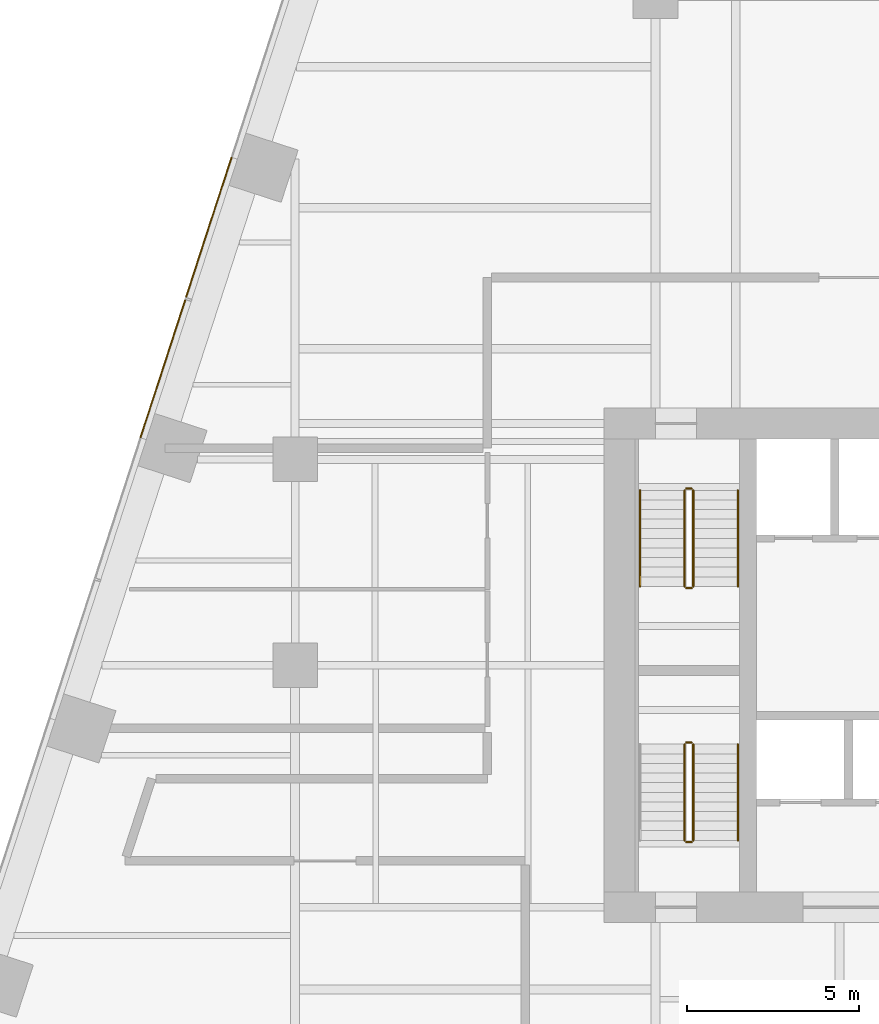
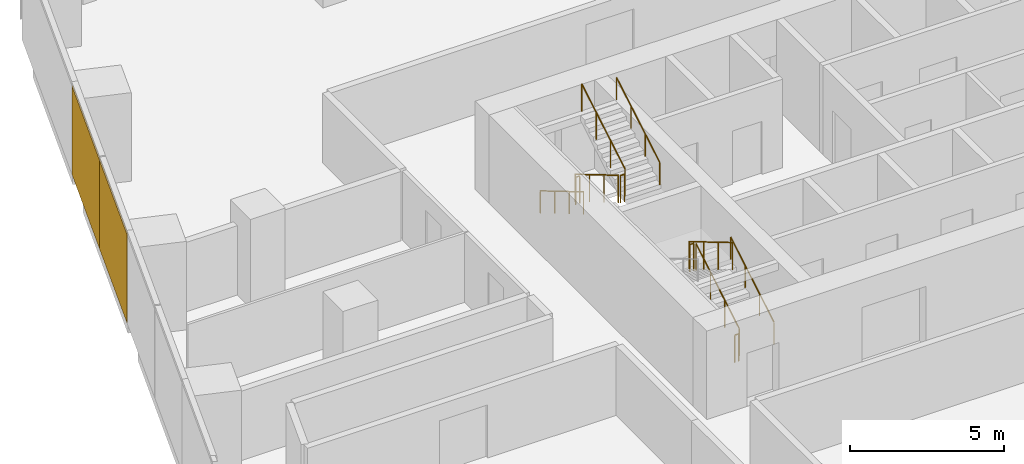
# One storey, part 18 of 19: 11 railings, 2 coverings, 1 element without a shape of its own.
"""IFC4 building model written with IfcOpenShell, lengths in metres."""

from ifc_helpers import new_model, si_unit, direction, frame, origin, origin_2d, place, context, subcontext, project, spatial, rectangle, circle, extrude, material, layer, layer_set, type_object, element, aggregate, save


model = new_model("IFC4")

# Units and contexts
model_context = context("Model", 3, precision=1e-05, world=origin(), true_north=direction((0.0, 1.0)))
body_context = subcontext(model_context, "Body", "Model", "MODEL_VIEW")
ifc_project = project(units=[si_unit("LENGTHUNIT", "METRE"), si_unit("AREAUNIT", "SQUARE_METRE"), si_unit("VOLUMEUNIT", "CUBIC_METRE"), si_unit("PLANEANGLEUNIT", "RADIAN"), si_unit("MASSUNIT", "GRAM", prefix="KILO")], contexts=[model_context])

# Site, building, storey
site_placement = place(None, origin())
site = spatial("IfcSite", under=ifc_project, at=site_placement, CompositionType="ELEMENT")
building_placement = place(site_placement, origin())
building = spatial("IfcBuilding", under=site, at=building_placement, Name="Isthmus Gate Tower", CompositionType="ELEMENT")
storey_placement = place(building_placement, frame((0.0, 0.0, 87.949951171875)))
storey = spatial("IfcBuildingStorey", under=building, at=storey_placement, Name="L20", CompositionType="ELEMENT", Elevation=87.949951171875)

# Curtain wall, coverings
ifc_material_1 = material(Name="Aluminium, pale champagne anodised", Category="aluminium")
ifc_layer_1 = layer(ifc_material_1, 0.199951171875)
ifc_layer_set_1 = layer_set([ifc_layer_1], Name="CW-1 UNITISED CURTAIN WALL 200 DEEP")
curtain_wall_type = type_object("IfcCurtainWallType", Name="CW-1 UNITISED CURTAIN WALL 200 DEEP", PredefinedType="NOTDEFINED", material=ifc_layer_set_1)
curtain_wall_placement = place(storey_placement, origin())
curtain_wall = element("IfcCurtainWall", 1, at=curtain_wall_placement, inside=storey, type_object=curtain_wall_type, Name="CW-1 NW L20", PredefinedType="NOTDEFINED")
ifc_material_2 = material(Name="Aluminium composite panel, pale champagne anodised", Category="aluminium")
ifc_layer_2 = layer(ifc_material_2, 0.0400390625)
ifc_layer_set_2 = layer_set([ifc_layer_2], Name="CW-1 PALE METAL PANEL 40")
covering_type = type_object("IfcCoveringType", Name="CW-1 PALE METAL PANEL 40", PredefinedType="CLADDING", material=ifc_layer_set_2)
covering_1_placement = place(storey_placement, frame((-26.51806640625, 20.25927734375, 0.0), z_axis=(0.0, 0.0, 1.0), x_axis=(-0.309016994375, -0.951056516295, 0.0)))
covering_1 = element("IfcCovering", 2, at=covering_1_placement, type_object=covering_type, Name="CW-1 pale metal panel", PredefinedType="CLADDING", context=body_context, shape_type="SweptSolid", body=[
    extrude(rectangle(XDim=4.294677734375, YDim=0.0400390625, at=origin_2d()), origin(), (0.0, 0.0, 1.0), 3.5),
])
covering_2_placement = place(storey_placement, frame((-27.8544921875, 16.146484375, 0.0), z_axis=(0.0, 0.0, 1.0), x_axis=(-0.309016994375, -0.951056516295, 0.0)))
covering_2 = element("IfcCovering", 3, at=covering_2_placement, type_object=covering_type, Name="CW-1 pale metal panel", PredefinedType="CLADDING", context=body_context, shape_type="SweptSolid", body=[
    extrude(rectangle(XDim=4.234619140625, YDim=0.0400390625, at=origin_2d()), origin(), (0.0, 0.0, 1.0), 3.5),
])
aggregate(curtain_wall, [covering_1, covering_2])

# Railings
ifc_material_3 = material(Name="Stainless steel balustrade", Category="steel")
railing_type_1 = type_object("IfcRailingType", Name="STAIR GUARD 1100", PredefinedType="GUARDRAIL", material=ifc_material_3)
railing_1_placement = place(storey_placement, frame((-12.64990234375, 12.60009765625, 0.166015625)))
element("IfcRailing", 4, at=railing_1_placement, inside=storey, type_object=railing_type_1, Name="L20 ST1 stair guard 1", PredefinedType="GUARDRAIL", context=body_context, shape_type="SweptSolid", body=[
    extrude(circle(Radius=0.02392578125, at=origin_2d()), frame((0.0, 0.0, 1.076171875), z_axis=(0.0, -0.860339051648, 0.50972219513), x_axis=(1.0, 0.0, 0.0)), (0.0, 0.0, 1.0), 3.254638671875),
    extrude(circle(Radius=0.02099609375, at=origin_2d()), origin(), (0.0, 0.0, 1.0), 1.052001953125),
    extrude(circle(Radius=0.02099609375, at=origin_2d()), frame((0.0, -0.933349609375, 0.552978515625)), (0.0, 0.0, 1.0), 1.052001953125),
    extrude(circle(Radius=0.02099609375, at=origin_2d()), frame((0.0, -1.86669921875, 1.10595703125)), (0.0, 0.0, 1.0), 1.052001953125),
    extrude(circle(Radius=0.02099609375, at=origin_2d()), frame((0.0, -2.800048828125, 1.658935546875)), (0.0, 0.0, 1.0), 1.052001953125),
])
railing_2_placement = place(storey_placement, frame((-12.60009765625, 9.75, 1.824951171875)))
element("IfcRailing", 5, at=railing_2_placement, inside=storey, type_object=railing_type_1, Name="L20 ST1 stair guard 2", PredefinedType="GUARDRAIL", context=body_context, shape_type="SweptSolid", body=[
    extrude(circle(Radius=0.02392578125, at=origin_2d()), frame((0.0, 0.0, 1.076171875), z_axis=(1.0, 0.0, 0.0), x_axis=(0.0, 1.0, 0.0)), (0.0, 0.0, 1.0), 0.150146484375),
    extrude(circle(Radius=0.02099609375, at=origin_2d()), origin(), (0.0, 0.0, 1.0), 1.052001953125),
    extrude(circle(Radius=0.02099609375, at=origin_2d()), frame((0.150146484375, 0.0, 0.0)), (0.0, 0.0, 1.0), 1.052001953125),
])
railing_3_placement = place(storey_placement, frame((-12.39990234375, 9.800048828125, 1.990966796875)))
element("IfcRailing", 6, at=railing_3_placement, inside=storey, type_object=railing_type_1, Name="L20 ST1 stair guard 3", PredefinedType="GUARDRAIL", context=body_context, shape_type="SweptSolid", body=[
    extrude(circle(Radius=0.02392578125, at=origin_2d()), frame((0.0, 0.0, 1.076171875), z_axis=(0.0, 0.860306154799, 0.50977771628), x_axis=(-1.0, 0.0, 0.0)), (0.0, 0.0, 1.0), 3.254638671875),
    extrude(circle(Radius=0.02099609375, at=origin_2d()), origin(), (0.0, 0.0, 1.0), 1.052001953125),
    extrude(circle(Radius=0.02099609375, at=origin_2d()), frame((0.0, 0.933349609375, 0.552978515625)), (0.0, 0.0, 1.0), 1.052001953125),
    extrude(circle(Radius=0.02099609375, at=origin_2d()), frame((0.0, 1.86669921875, 1.106201171875)), (0.0, 0.0, 1.0), 1.052001953125),
    extrude(circle(Radius=0.02099609375, at=origin_2d()), frame((0.0, 2.800048828125, 1.6591796875)), (0.0, 0.0, 1.0), 1.052001953125),
])
railing_4_placement = place(storey_placement, frame((-12.60009765625, 12.64990234375, 0.0)))
element("IfcRailing", 7, at=railing_4_placement, inside=storey, type_object=railing_type_1, Name="L20 ST1 stair guard 4", PredefinedType="GUARDRAIL", context=body_context, shape_type="SweptSolid", body=[
    extrude(circle(Radius=0.02392578125, at=origin_2d()), frame((0.0, 0.0, 1.076171875), z_axis=(1.0, 0.0, 0.0), x_axis=(0.0, 1.0, 0.0)), (0.0, 0.0, 1.0), 0.150146484375),
    extrude(circle(Radius=0.02099609375, at=origin_2d()), origin(), (0.0, 0.0, 1.0), 1.052001953125),
    extrude(circle(Radius=0.02099609375, at=origin_2d()), frame((0.150146484375, 0.0, 0.0)), (0.0, 0.0, 1.0), 1.052001953125),
])
railing_5_placement = place(storey_placement, frame((-12.39990234375, 2.39990234375, 0.166015625)))
element("IfcRailing", 8, at=railing_5_placement, inside=storey, type_object=railing_type_1, Name="L20 ST7 stair guard 1", PredefinedType="GUARDRAIL", context=body_context, shape_type="SweptSolid", body=[
    extrude(circle(Radius=0.02392578125, at=origin_2d()), frame((0.0, 0.0, 1.076171875), z_axis=(0.0, 0.860339051648, 0.50972219513), x_axis=(-1.0, 0.0, 0.0)), (0.0, 0.0, 1.0), 3.254638671875),
    extrude(circle(Radius=0.02099609375, at=origin_2d()), origin(), (0.0, 0.0, 1.0), 1.052001953125),
    extrude(circle(Radius=0.02099609375, at=origin_2d()), frame((0.0, 0.933349609375, 0.552978515625)), (0.0, 0.0, 1.0), 1.052001953125),
    extrude(circle(Radius=0.02099609375, at=origin_2d()), frame((0.0, 1.86669921875, 1.10595703125)), (0.0, 0.0, 1.0), 1.052001953125),
    extrude(circle(Radius=0.02099609375, at=origin_2d()), frame((0.0, 2.800048828125, 1.658935546875)), (0.0, 0.0, 1.0), 1.052001953125),
])
railing_6_placement = place(storey_placement, frame((-12.449951171875, 5.25, 1.824951171875)))
element("IfcRailing", 9, at=railing_6_placement, inside=storey, type_object=railing_type_1, Name="L20 ST7 stair guard 2", PredefinedType="GUARDRAIL", context=body_context, shape_type="SweptSolid", body=[
    extrude(circle(Radius=0.02392578125, at=origin_2d()), frame((0.0, 0.0, 1.076171875), z_axis=(-1.0, 0.0, 0.0), x_axis=(0.0, -1.0, 0.0)), (0.0, 0.0, 1.0), 0.150146484375),
    extrude(circle(Radius=0.02099609375, at=origin_2d()), origin(), (0.0, 0.0, 1.0), 1.052001953125),
    extrude(circle(Radius=0.02099609375, at=origin_2d()), frame((-0.150146484375, 0.0, 0.0)), (0.0, 0.0, 1.0), 1.052001953125),
])
railing_7_placement = place(storey_placement, frame((-12.64990234375, 5.199951171875, 1.990966796875)))
element("IfcRailing", 10, at=railing_7_placement, inside=storey, type_object=railing_type_1, Name="L20 ST7 stair guard 3", PredefinedType="GUARDRAIL", context=body_context, shape_type="SweptSolid", body=[
    extrude(circle(Radius=0.02392578125, at=origin_2d()), frame((0.0, 0.0, 1.076171875), z_axis=(0.0, -0.860306154799, 0.50977771628), x_axis=(1.0, 0.0, 0.0)), (0.0, 0.0, 1.0), 3.254638671875),
    extrude(circle(Radius=0.02099609375, at=origin_2d()), origin(), (0.0, 0.0, 1.0), 1.052001953125),
    extrude(circle(Radius=0.02099609375, at=origin_2d()), frame((0.0, -0.933349609375, 0.552978515625)), (0.0, 0.0, 1.0), 1.052001953125),
    extrude(circle(Radius=0.02099609375, at=origin_2d()), frame((0.0, -1.86669921875, 1.106201171875)), (0.0, 0.0, 1.0), 1.052001953125),
    extrude(circle(Radius=0.02099609375, at=origin_2d()), frame((0.0, -2.800048828125, 1.6591796875)), (0.0, 0.0, 1.0), 1.052001953125),
])
railing_8_placement = place(storey_placement, frame((-12.449951171875, 2.35009765625, 0.0)))
element("IfcRailing", 11, at=railing_8_placement, inside=storey, type_object=railing_type_1, Name="L20 ST7 stair guard 4", PredefinedType="GUARDRAIL", context=body_context, shape_type="SweptSolid", body=[
    extrude(circle(Radius=0.02392578125, at=origin_2d()), frame((0.0, 0.0, 1.076171875), z_axis=(-1.0, 0.0, 0.0), x_axis=(0.0, -1.0, 0.0)), (0.0, 0.0, 1.0), 0.150146484375),
    extrude(circle(Radius=0.02099609375, at=origin_2d()), origin(), (0.0, 0.0, 1.0), 1.052001953125),
    extrude(circle(Radius=0.02099609375, at=origin_2d()), frame((-0.150146484375, 0.0, 0.0)), (0.0, 0.0, 1.0), 1.052001953125),
])
ifc_material_4 = material(Name="Stainless steel handrail", Category="steel")
railing_type_2 = type_object("IfcRailingType", Name="STAIR HANDRAIL 900", PredefinedType="HANDRAIL", material=ifc_material_4)
railing_9_placement = place(storey_placement, frame((-13.949951171875, 12.60009765625, 0.166015625)))
element("IfcRailing", 12, at=railing_9_placement, inside=storey, type_object=railing_type_2, Name="L20 ST1 stair handrail 1", PredefinedType="HANDRAIL", context=body_context, shape_type="SweptSolid", body=[
    extrude(circle(Radius=0.02392578125, at=origin_2d()), frame((0.0, 0.0, 0.8759765625), z_axis=(0.0, -0.860339051648, 0.50972219513), x_axis=(1.0, 0.0, 0.0)), (0.0, 0.0, 1.0), 3.254638671875),
    extrude(circle(Radius=0.02099609375, at=origin_2d()), origin(), (0.0, 0.0, 1.0), 0.851806640625),
    extrude(circle(Radius=0.02099609375, at=origin_2d()), frame((0.0, -0.933349609375, 0.552978515625)), (0.0, 0.0, 1.0), 0.851806640625),
    extrude(circle(Radius=0.02099609375, at=origin_2d()), frame((0.0, -1.86669921875, 1.10595703125)), (0.0, 0.0, 1.0), 0.851806640625),
    extrude(circle(Radius=0.02099609375, at=origin_2d()), frame((0.0, -2.800048828125, 1.658935546875)), (0.0, 0.0, 1.0), 0.851806640625),
])
railing_10_placement = place(storey_placement, frame((-11.10009765625, 9.800048828125, 1.990966796875)))
element("IfcRailing", 13, at=railing_10_placement, inside=storey, type_object=railing_type_2, Name="L20 ST1 stair handrail 2", PredefinedType="HANDRAIL", context=body_context, shape_type="SweptSolid", body=[
    extrude(circle(Radius=0.02392578125, at=origin_2d()), frame((0.0, 0.0, 0.8759765625), z_axis=(0.0, 0.860306154799, 0.50977771628), x_axis=(-1.0, 0.0, 0.0)), (0.0, 0.0, 1.0), 3.254638671875),
    extrude(circle(Radius=0.02099609375, at=origin_2d()), origin(), (0.0, 0.0, 1.0), 0.851806640625),
    extrude(circle(Radius=0.02099609375, at=origin_2d()), frame((0.0, 0.933349609375, 0.552978515625)), (0.0, 0.0, 1.0), 0.851806640625),
    extrude(circle(Radius=0.02099609375, at=origin_2d()), frame((0.0, 1.86669921875, 1.106201171875)), (0.0, 0.0, 1.0), 0.851806640625),
    extrude(circle(Radius=0.02099609375, at=origin_2d()), frame((0.0, 2.800048828125, 1.6591796875)), (0.0, 0.0, 1.0), 0.851806640625),
])
railing_11_placement = place(storey_placement, frame((-11.10009765625, 2.39990234375, 0.166015625)))
element("IfcRailing", 14, at=railing_11_placement, inside=storey, type_object=railing_type_2, Name="L20 ST7 stair handrail 1", PredefinedType="HANDRAIL", context=body_context, shape_type="SweptSolid", body=[
    extrude(circle(Radius=0.02392578125, at=origin_2d()), frame((0.0, 0.0, 0.8759765625), z_axis=(0.0, 0.860339051648, 0.50972219513), x_axis=(-1.0, 0.0, 0.0)), (0.0, 0.0, 1.0), 3.254638671875),
    extrude(circle(Radius=0.02099609375, at=origin_2d()), origin(), (0.0, 0.0, 1.0), 0.851806640625),
    extrude(circle(Radius=0.02099609375, at=origin_2d()), frame((0.0, 0.933349609375, 0.552978515625)), (0.0, 0.0, 1.0), 0.851806640625),
    extrude(circle(Radius=0.02099609375, at=origin_2d()), frame((0.0, 1.86669921875, 1.10595703125)), (0.0, 0.0, 1.0), 0.851806640625),
    extrude(circle(Radius=0.02099609375, at=origin_2d()), frame((0.0, 2.800048828125, 1.658935546875)), (0.0, 0.0, 1.0), 0.851806640625),
])

save(model, "model.ifc")
